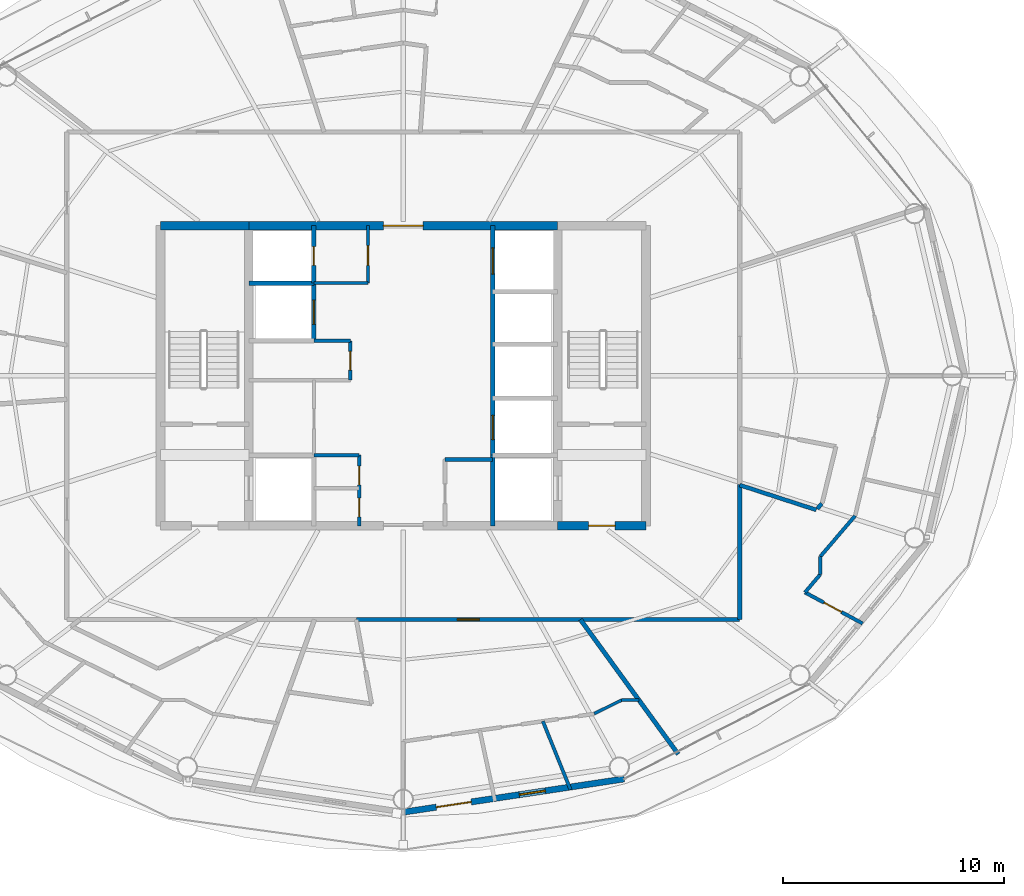
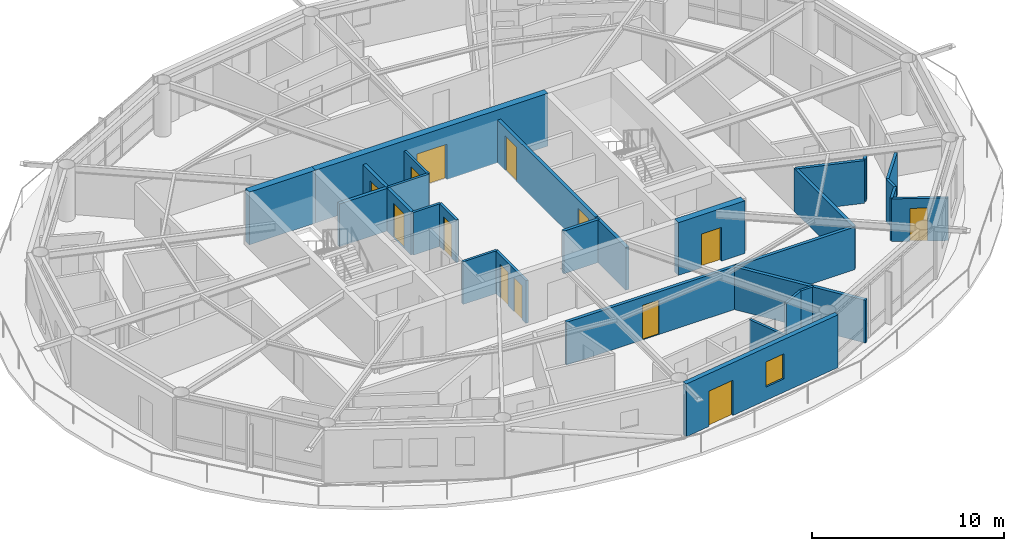
# One storey, part 17 of 23: 28 walls, 13 doors, 1 window, 14 openings.
"""IFC4 building model written with IfcOpenShell, lengths in metres."""

from ifc_helpers import new_model, si_unit, direction, frame, frame_2d, origin, place, context, subcontext, project, spatial, rectangle, extrude, material, layer, layer_set, type_object, element, fill, save


model = new_model("IFC4")

# Units and contexts
model_context = context("Model", 3, precision=1e-05, world=origin(), true_north=direction((0.0, 1.0)))
body_context = subcontext(model_context, "Body", "Model", "MODEL_VIEW")
ifc_project = project(units=[si_unit("LENGTHUNIT", "METRE"), si_unit("AREAUNIT", "SQUARE_METRE"), si_unit("VOLUMEUNIT", "CUBIC_METRE"), si_unit("PLANEANGLEUNIT", "RADIAN"), si_unit("MASSUNIT", "GRAM", prefix="KILO")], contexts=[model_context])

# Site, building, storey
site_placement = place(None, origin())
site = spatial("IfcSite", under=ifc_project, at=site_placement, CompositionType="ELEMENT")
building_placement = place(site_placement, origin())
building = spatial("IfcBuilding", under=site, at=building_placement, Name="Sarneth Arch Tower", CompositionType="ELEMENT")
storey_placement = place(building_placement, frame((0.0, 0.0, 224.39990234375)))
storey = spatial("IfcBuildingStorey", under=building, at=storey_placement, Name="L57", CompositionType="ELEMENT", Elevation=224.39990234375)

# Wall, opening, door
ifc_material_1 = material(Name="Concrete C50/60", Category="concrete")
ifc_layer_1 = layer(ifc_material_1, 0.39990234375)
ifc_layer_set_1 = layer_set([ifc_layer_1], Name="Concrete C50/60")
wall_type_1 = type_object("IfcWallType", Name="WALL-CORE-400", PredefinedType="SHEAR", material=ifc_layer_set_1)
wall_1_placement = place(storey_placement, frame((55.0, 35.199951171875, 0.0), z_axis=(0.0, 0.0, 1.0), x_axis=(1.0, 0.0, 0.0)))
wall_1 = element("IfcWall", 1, at=wall_1_placement, inside=storey, type_object=wall_type_1, Name="L57 Core shear wall S-E", PredefinedType="SHEAR", context=body_context, shape_type="SweptSolid", body=[
    extrude(rectangle(XDim=4.0, YDim=0.39990234375, at=frame_2d((2.0, 0.0))), origin(), (0.0, 0.0, 1.0), 3.360107421875),
])
opening_1_placement = place(wall_1_placement, frame((1.39990234375, 0.0, 0.0)))
opening_1 = element("IfcOpeningElement", 2, at=opening_1_placement, cuts=wall_1, Name="Opening FD-02", PredefinedType="OPENING", context=body_context, shape_type="SweptSolid", body=[
    extrude(rectangle(XDim=1.199951171875, YDim=2.14990234375, at=frame_2d((0.60009765625, 1.074951171875))), frame((0.0, 0.2099609375, 0.0), z_axis=(0.0, -1.0, 0.0), x_axis=(1.0, 0.0, 0.0)), (0.0, 0.0, 1.0), 0.419921875),
])
ifc_material_2 = material(Name="Galvanised Steel S275 fire door set", Category="steel")
door_type_1 = type_object("IfcDoorType", Name="DR-FD90-1200", OperationType="SINGLE_SWING_LEFT", PredefinedType="DOOR", material=ifc_material_2)
door_1_placement = place(opening_1_placement, origin())
door_1 = element("IfcDoor", 3, at=door_1_placement, inside=storey, type_object=door_type_1, Name="L57 Firefighting lobby 2 exit door", OperationType="SINGLE_SWING_RIGHT", OverallHeight=2.14990234375, OverallWidth=1.199951171875, PredefinedType="DOOR", context=body_context, shape_type="SweptSolid", body=[
    extrude(rectangle(XDim=1.199951171875, YDim=2.14990234375, at=frame_2d((0.60009765625, 1.074951171875))), frame((0.0, 0.02490234375, 0.0), z_axis=(0.0, -1.0, 0.0), x_axis=(1.0, 0.0, 0.0)), (0.0, 0.0, 1.0), 0.050048828125),
])
fill(opening_1, door_1)

# Wall
wall_2_placement = place(storey_placement, frame((37.0, 48.800048828125, 0.0), z_axis=(0.0, 0.0, 1.0), x_axis=(1.0, 0.0, 0.0)))
element("IfcWall", 4, at=wall_2_placement, inside=storey, type_object=wall_type_1, Name="L57 Core shear wall N-W", PredefinedType="SHEAR", context=body_context, shape_type="SweptSolid", body=[
    extrude(rectangle(XDim=4.0, YDim=0.39990234375, at=frame_2d((2.0, 0.0))), origin(), (0.0, 0.0, 1.0), 3.360107421875),
])

# Wall, opening, door
wall_3_placement = place(storey_placement, frame((41.0, 48.800048828125, 0.0), z_axis=(0.0, 0.0, 1.0), x_axis=(1.0, 0.0, 0.0)))
wall_3 = element("IfcWall", 5, at=wall_3_placement, inside=storey, type_object=wall_type_1, Name="L57 Core shear wall N-M", PredefinedType="SHEAR", context=body_context, shape_type="SweptSolid", body=[
    extrude(rectangle(XDim=14.0, YDim=0.39990234375, at=frame_2d((7.0, 0.0))), origin(), (0.0, 0.0, 1.0), 3.360107421875),
])
opening_2_placement = place(wall_3_placement, frame((6.10009765625, 0.0, 0.0)))
opening_2 = element("IfcOpeningElement", 6, at=opening_2_placement, cuts=wall_3, Name="Opening FD-01", PredefinedType="OPENING", context=body_context, shape_type="SweptSolid", body=[
    extrude(rectangle(XDim=1.800048828125, YDim=2.25, at=frame_2d((0.89990234375, 1.125))), frame((0.0, 0.2099609375, 0.0), z_axis=(0.0, -1.0, 0.0), x_axis=(1.0, 0.0, 0.0)), (0.0, 0.0, 1.0), 0.419921875),
])
ifc_material_3 = material(Name="Galvanised Steel S275 fire door set", Category="steel")
door_type_2 = type_object("IfcDoorType", Name="DR-FD90-1800", OperationType="DOUBLE_DOOR_SINGLE_SWING", PredefinedType="DOOR", material=ifc_material_3)
door_2_placement = place(opening_2_placement, origin())
door_2 = element("IfcDoor", 7, at=door_2_placement, inside=storey, type_object=door_type_2, Name="L57 Central lift lobby north door", OperationType="DOUBLE_DOOR_SINGLE_SWING", OverallHeight=2.25, OverallWidth=1.800048828125, PredefinedType="DOOR", context=body_context, shape_type="SweptSolid", body=[
    extrude(rectangle(XDim=1.800048828125, YDim=2.25, at=frame_2d((0.89990234375, 1.125))), frame((0.0, 0.02490234375, 0.0), z_axis=(0.0, -1.0, 0.0), x_axis=(1.0, 0.0, 0.0)), (0.0, 0.0, 1.0), 0.050048828125),
])
fill(opening_2, door_2)

ifc_material_4 = material(Name="Double steel-stud corridor fire wall", Category="steel")
ifc_layer_2 = layer(ifc_material_4, 0.18994140625)
ifc_layer_set_2 = layer_set([ifc_layer_2], Name="Double steel-stud corridor fire wall")
wall_type_2 = type_object("IfcWallType", Name="WALL-CORR-190", PredefinedType="PARTITIONING", material=ifc_layer_set_2)
wall_4_placement = place(storey_placement, frame((45.870361328125, 30.949951171875, 0.0), z_axis=(0.0, 0.0, 1.0), x_axis=(1.0, 0.0, 0.0)))
wall_4 = element("IfcWall", 8, at=wall_4_placement, inside=storey, type_object=wall_type_2, Name="L57 Interior partition W-L57-TP-015", PredefinedType="PARTITIONING", context=body_context, shape_type="SweptSolid", body=[
    extrude(rectangle(XDim=17.379638671875, YDim=0.18994140625, at=frame_2d((8.68994140625, 0.0))), origin(), (0.0, 0.0, 1.0), 2.72021484375),
])
opening_3_placement = place(wall_4_placement, frame((4.5791015625, 0.0, 0.0)))
opening_3 = element("IfcOpeningElement", 9, at=opening_3_placement, cuts=wall_4, Name="Opening FD-08", PredefinedType="OPENING", context=body_context, shape_type="SweptSolid", body=[
    extrude(rectangle(XDim=1.0, YDim=2.199951171875, at=frame_2d((0.5, 1.10009765625))), frame((0.0, 0.10498046875, 0.0), z_axis=(0.0, -1.0, 0.0), x_axis=(1.0, 0.0, 0.0)), (0.0, 0.0, 1.0), 0.2099609375),
])
ifc_material_5 = material(Name="Hardwood timber acoustic fire door", Category="wood")
door_type_3 = type_object("IfcDoorType", Name="DR-FD60-1000", OperationType="SINGLE_SWING_LEFT", PredefinedType="DOOR", material=ifc_material_5)
door_3_placement = place(opening_3_placement, origin())
door_3 = element("IfcDoor", 10, at=door_3_placement, inside=storey, type_object=door_type_3, Name="L57 Interior door DR-L57-U6-ENT", OperationType="SINGLE_SWING_LEFT", OverallHeight=2.199951171875, OverallWidth=1.0, PredefinedType="DOOR", context=body_context, shape_type="SweptSolid", body=[
    extrude(rectangle(XDim=1.0, YDim=2.199951171875, at=frame_2d((0.5, 1.10009765625))), frame((0.0, 0.02490234375, 0.0), z_axis=(0.0, -1.0, 0.0), x_axis=(1.0, 0.0, 0.0)), (0.0, 0.0, 1.0), 0.050048828125),
])
fill(opening_3, door_3)

# Wall
wall_5_placement = place(storey_placement, frame((63.25, 37.07861328125, 0.0), z_axis=(0.0, 0.0, 1.0), x_axis=(0.0, -1.0, 0.0)))
element("IfcWall", 11, at=wall_5_placement, inside=storey, type_object=wall_type_2, Name="L57 Interior partition W-L57-TP-017", PredefinedType="PARTITIONING", context=body_context, shape_type="SweptSolid", body=[
    extrude(rectangle(XDim=6.128662109375, YDim=0.18994140625, at=frame_2d((3.064453125, 0.0))), origin(), (0.0, 0.0, 1.0), 2.72021484375),
])

# Wall, openings, door, window
ifc_material_6 = material(Name="Extruded terracotta rainscreen on Concrete C40/50 backing", Category="masonry")
ifc_layer_3 = layer(ifc_material_6, 0.280029296875)
ifc_layer_set_3 = layer_set([ifc_layer_3], Name="Extruded terracotta rainscreen on Concrete C40/50 backing")
wall_type_3 = type_object("IfcWallType", Name="WALL-EXT-TERRA-280", PredefinedType="SOLIDWALL", material=ifc_layer_set_3)
wall_6_placement = place(storey_placement, frame((48.0, 22.219970703125, 0.0), z_axis=(0.0, 0.0, 1.0), x_axis=(0.988882522213, 0.148698881169, 0.0)))
wall_6 = element("IfcWall", 12, at=wall_6_placement, inside=storey, type_object=wall_type_3, Name="L57 Terracotta perimeter wall 13", PredefinedType="SOLIDWALL", context=body_context, shape_type="SweptSolid", body=[
    extrude(rectangle(XDim=10.125244140625, YDim=0.280029296875, at=frame_2d((5.0625, 0.0))), origin(), (0.0, 0.0, 1.0), 3.360107421875),
])
opening_4_placement = place(wall_6_placement, frame((1.51611328125, 0.0, 0.0)))
opening_4 = element("IfcOpeningElement", 13, at=opening_4_placement, cuts=wall_6, Name="Opening BD-1", PredefinedType="OPENING", context=body_context, shape_type="SweptSolid", body=[
    extrude(rectangle(XDim=1.60009765625, YDim=2.25, at=frame_2d((0.800048828125, 1.125))), frame((0.0, 0.14990234375, 0.0), z_axis=(0.0, -1.0, 0.0), x_axis=(1.0, 0.0, 0.0)), (0.0, 0.0, 1.0), 0.300048828125),
])
opening_5_placement = place(wall_6_placement, frame((5.316162109375, 0.0, 0.85009765625)))
opening_5 = element("IfcOpeningElement", 14, at=opening_5_placement, cuts=wall_6, Name="Opening W-10", PredefinedType="OPENING", context=body_context, shape_type="SweptSolid", body=[
    extrude(rectangle(XDim=1.199951171875, YDim=1.60009765625, at=frame_2d((0.60009765625, 0.800048828125))), frame((0.0, 0.14990234375, 0.0), z_axis=(0.0, -1.0, 0.0), x_axis=(1.0, 0.0, 0.0)), (0.0, 0.0, 1.0), 0.300048828125),
])
ifc_material_7 = material(Name="Thermally broken Aluminium 6063-T6 and laminated safety glass", Category="aluminium")
door_type_4 = type_object("IfcDoorType", Name="DR-BALC-GLZ-1600", OperationType="DOUBLE_DOOR_SINGLE_SWING", PredefinedType="DOOR", material=ifc_material_7)
door_4_placement = place(opening_4_placement, origin())
door_4 = element("IfcDoor", 15, at=door_4_placement, inside=storey, type_object=door_type_4, Name="L57 Balcony glazed door 13", OperationType="DOUBLE_DOOR_SINGLE_SWING", OverallHeight=2.25, OverallWidth=1.60009765625, PredefinedType="DOOR", context=body_context, shape_type="SweptSolid", body=[
    extrude(rectangle(XDim=1.60009765625, YDim=2.25, at=frame_2d((0.800048828125, 1.125))), frame((0.0, 0.02490234375, 0.0), z_axis=(0.0, -1.0, 0.0), x_axis=(1.0, 0.0, 0.0)), (0.0, 0.0, 1.0), 0.050048828125),
])
fill(opening_4, door_4)
ifc_material_8 = material(Name="Thermally broken Aluminium 6063-T6 and low-e laminated IGU", Category="aluminium")
window_type = type_object("IfcWindowType", Name="WIN-TWR-1200x1600", PartitioningType="SINGLE_PANEL", PredefinedType="WINDOW", material=ifc_material_8)
window_placement = place(opening_5_placement, origin())
window = element("IfcWindow", 16, at=window_placement, inside=storey, type_object=window_type, Name="L57 Exterior window 13A", OverallHeight=1.60009765625, OverallWidth=1.199951171875, PartitioningType="SINGLE_PANEL", PredefinedType="WINDOW", context=body_context, shape_type="SweptSolid", body=[
    extrude(rectangle(XDim=1.199951171875, YDim=1.60009765625, at=frame_2d((0.60009765625, 0.800048828125))), frame((0.0, 0.030029296875, 0.0), z_axis=(0.0, -1.0, 0.0), x_axis=(1.0, 0.0, 0.0)), (0.0, 0.0, 1.0), 0.06005859375),
])
fill(opening_5, window)

# Walls
ifc_material_9 = material(Name="Apartment internal stud partition", Category="gypsum")
ifc_layer_4 = layer(ifc_material_9, 0.139892578125)
ifc_layer_set_4 = layer_set([ifc_layer_4], Name="Apartment internal stud partition")
wall_type_4 = type_object("IfcWallType", Name="WALL-PART-140", PredefinedType="PARTITIONING", material=ifc_layer_set_4)
wall_7_placement = place(storey_placement, frame((57.898681640625, 27.300048828125, 0.0), z_axis=(0.0, 0.0, 1.0), x_axis=(-0.895584310315, -0.444891833053, 0.0)))
element("IfcWall", 17, at=wall_7_placement, inside=storey, type_object=wall_type_4, Name="L57 Interior partition W-L57-TP-088", PredefinedType="PARTITIONING", context=body_context, shape_type="SweptSolid", body=[
    extrude(rectangle(XDim=1.388916015625, YDim=0.139892578125, at=frame_2d((0.6943359375, 0.0))), origin(), (0.0, 0.0, 1.0), 2.72021484375),
])
wall_8_placement = place(storey_placement, frame((58.68017578125, 27.300048828125, 0.0), z_axis=(0.0, 0.0, 1.0), x_axis=(-1.0, 0.0, 0.0)))
element("IfcWall", 18, at=wall_8_placement, inside=storey, type_object=wall_type_4, Name="L57 Interior partition W-L57-TP-087", PredefinedType="PARTITIONING", context=body_context, shape_type="SweptSolid", body=[
    extrude(rectangle(XDim=0.781494140625, YDim=0.139892578125, at=frame_2d((0.390625, 0.0))), origin(), (0.0, 0.0, 1.0), 2.72021484375),
])
ifc_material_10 = material(Name="Acoustic gypsum stud partition", Category="gypsum")
ifc_layer_5 = layer(ifc_material_10, 0.14990234375)
ifc_layer_set_5 = layer_set([ifc_layer_5], Name="Acoustic gypsum stud partition")
wall_type_5 = type_object("IfcWallType", Name="WALL-PART-150", PredefinedType="PARTITIONING", material=ifc_layer_set_5)
wall_9_placement = place(storey_placement, frame((43.949951171875, 43.580078125, 0.0), z_axis=(0.0, 0.0, 1.0), x_axis=(1.0, 0.0, 0.0)))
element("IfcWall", 19, at=wall_9_placement, inside=storey, type_object=wall_type_5, Name="L57 Interior partition W-L57-RECPL-N2", PredefinedType="PARTITIONING", context=body_context, shape_type="SweptSolid", body=[
    extrude(rectangle(XDim=1.650146484375, YDim=0.14990234375, at=frame_2d((0.8251953125, 0.0))), origin(), (0.0, 0.0, 1.0), 2.72021484375),
])

# Wall, opening, door
wall_10_placement = place(storey_placement, frame((45.60009765625, 41.800048828125, 0.0), z_axis=(0.0, 0.0, 1.0), x_axis=(0.0, 1.0, 0.0)))
wall_10 = element("IfcWall", 20, at=wall_10_placement, inside=storey, type_object=wall_type_5, Name="L57 Interior partition W-L57-RECPL-E2", PredefinedType="PARTITIONING", context=body_context, shape_type="SweptSolid", body=[
    extrude(rectangle(XDim=1.780029296875, YDim=0.14990234375, at=frame_2d((0.89013671875, 0.0))), origin(), (0.0, 0.0, 1.0), 2.72021484375),
])
opening_6_placement = place(wall_10_placement, frame((0.449951171875, 0.0, 0.0)))
opening_6 = element("IfcOpeningElement", 21, at=opening_6_placement, cuts=wall_10, Name="Opening FD-11", PredefinedType="OPENING", context=body_context, shape_type="SweptSolid", body=[
    extrude(rectangle(XDim=0.85009765625, YDim=2.14990234375, at=frame_2d((0.425048828125, 1.074951171875))), frame((0.0, 0.0849609375, 0.0), z_axis=(0.0, -1.0, 0.0), x_axis=(1.0, 0.0, 0.0)), (0.0, 0.0, 1.0), 0.169921875),
])
ifc_material_11 = material(Name="Galvanised Steel S275 closet fire door", Category="steel")
door_type_5 = type_object("IfcDoorType", Name="DR-FD60-850", OperationType="SINGLE_SWING_LEFT", PredefinedType="DOOR", material=ifc_material_11)
door_5_placement = place(opening_6_placement, origin())
door_5 = element("IfcDoor", 22, at=door_5_placement, inside=storey, type_object=door_type_5, Name="L57 Interior door DR-L57-RECPL2", OperationType="SINGLE_SWING_RIGHT", OverallHeight=2.14990234375, OverallWidth=0.85009765625, PredefinedType="DOOR", context=body_context, shape_type="SweptSolid", body=[
    extrude(rectangle(XDim=0.85009765625, YDim=2.14990234375, at=frame_2d((0.425048828125, 1.074951171875))), frame((0.0, 0.02490234375, 0.0), z_axis=(0.0, -1.0, 0.0), x_axis=(1.0, 0.0, 0.0)), (0.0, 0.0, 1.0), 0.050048828125),
])
fill(opening_6, door_5)

# Wall
wall_11_placement = place(storey_placement, frame((43.949951171875, 38.39990234375, 0.0), z_axis=(0.0, 0.0, 1.0), x_axis=(1.0, 0.0, 0.0)))
element("IfcWall", 23, at=wall_11_placement, inside=storey, type_object=wall_type_5, Name="L57 Interior partition W-L57-CSUP-N", PredefinedType="PARTITIONING", context=body_context, shape_type="SweptSolid", body=[
    extrude(rectangle(XDim=2.050048828125, YDim=0.14990234375, at=frame_2d((1.02490234375, 0.0))), origin(), (0.0, 0.0, 1.0), 2.72021484375),
])

# Wall, openings, doors
wall_12_placement = place(storey_placement, frame((46.0, 35.199951171875, 0.0), z_axis=(0.0, 0.0, 1.0), x_axis=(0.0, 1.0, 0.0)))
wall_12 = element("IfcWall", 24, at=wall_12_placement, inside=storey, type_object=wall_type_5, Name="L57 Interior partition W-L57-CSUP-E", PredefinedType="PARTITIONING", context=body_context, shape_type="SweptSolid", body=[
    extrude(rectangle(XDim=3.199951171875, YDim=0.14990234375, at=frame_2d((1.60009765625, 0.0))), origin(), (0.0, 0.0, 1.0), 2.72021484375),
])
opening_7_placement = place(wall_12_placement, frame((0.39990234375, 0.0, 0.0)))
opening_7 = element("IfcOpeningElement", 25, at=opening_7_placement, cuts=wall_12, Name="Opening FD-11", PredefinedType="OPENING", context=body_context, shape_type="SweptSolid", body=[
    extrude(rectangle(XDim=0.85009765625, YDim=2.14990234375, at=frame_2d((0.425048828125, 1.074951171875))), frame((0.0, 0.0849609375, 0.0), z_axis=(0.0, -1.0, 0.0), x_axis=(1.0, 0.0, 0.0)), (0.0, 0.0, 1.0), 0.169921875),
])
opening_8_placement = place(wall_12_placement, frame((1.85009765625, 0.0, 0.0)))
opening_8 = element("IfcOpeningElement", 26, at=opening_8_placement, cuts=wall_12, Name="Opening FD-11", PredefinedType="OPENING", context=body_context, shape_type="SweptSolid", body=[
    extrude(rectangle(XDim=0.85009765625, YDim=2.14990234375, at=frame_2d((0.425048828125, 1.074951171875))), frame((0.0, 0.0849609375, 0.0), z_axis=(0.0, -1.0, 0.0), x_axis=(1.0, 0.0, 0.0)), (0.0, 0.0, 1.0), 0.169921875),
])
door_6_placement = place(opening_7_placement, origin())
door_6 = element("IfcDoor", 27, at=door_6_placement, inside=storey, type_object=door_type_5, Name="L57 Interior door DR-L57-CSUP1", OperationType="SINGLE_SWING_LEFT", OverallHeight=2.14990234375, OverallWidth=0.85009765625, PredefinedType="DOOR", context=body_context, shape_type="SweptSolid", body=[
    extrude(rectangle(XDim=0.85009765625, YDim=2.14990234375, at=frame_2d((0.425048828125, 1.074951171875))), frame((0.0, 0.02490234375, 0.0), z_axis=(0.0, -1.0, 0.0), x_axis=(1.0, 0.0, 0.0)), (0.0, 0.0, 1.0), 0.050048828125),
])
fill(opening_7, door_6)
door_7_placement = place(opening_8_placement, origin())
door_7 = element("IfcDoor", 28, at=door_7_placement, inside=storey, type_object=door_type_5, Name="L57 Interior door DR-L57-CSUP2", OperationType="SINGLE_SWING_RIGHT", OverallHeight=2.14990234375, OverallWidth=0.85009765625, PredefinedType="DOOR", context=body_context, shape_type="SweptSolid", body=[
    extrude(rectangle(XDim=0.85009765625, YDim=2.14990234375, at=frame_2d((0.425048828125, 1.074951171875))), frame((0.0, 0.02490234375, 0.0), z_axis=(0.0, -1.0, 0.0), x_axis=(1.0, 0.0, 0.0)), (0.0, 0.0, 1.0), 0.050048828125),
])
fill(opening_8, door_7)

# Wall
wall_13_placement = place(storey_placement, frame((43.949951171875, 46.199951171875, 0.0), z_axis=(0.0, 0.0, 1.0), x_axis=(1.0, 0.0, 0.0)))
element("IfcWall", 29, at=wall_13_placement, inside=storey, type_object=wall_type_5, Name="L57 Interior partition W-L57-CSUP3-S", PredefinedType="PARTITIONING", context=body_context, shape_type="SweptSolid", body=[
    extrude(rectangle(XDim=2.449951171875, YDim=0.14990234375, at=frame_2d((1.22509765625, 0.0))), origin(), (0.0, 0.0, 1.0), 2.72021484375),
])

# Wall, opening, door
wall_14_placement = place(storey_placement, frame((46.39990234375, 46.199951171875, 0.0), z_axis=(0.0, 0.0, 1.0), x_axis=(0.0, 1.0, 0.0)))
wall_14 = element("IfcWall", 30, at=wall_14_placement, inside=storey, type_object=wall_type_5, Name="L57 Interior partition W-L57-CSUP3-E", PredefinedType="PARTITIONING", context=body_context, shape_type="SweptSolid", body=[
    extrude(rectangle(XDim=2.60009765625, YDim=0.14990234375, at=frame_2d((1.300048828125, 0.0))), origin(), (0.0, 0.0, 1.0), 2.72021484375),
])
opening_9_placement = place(wall_14_placement, frame((0.800048828125, 0.0, 0.0)))
opening_9 = element("IfcOpeningElement", 31, at=opening_9_placement, cuts=wall_14, Name="Opening FD-10", PredefinedType="OPENING", context=body_context, shape_type="SweptSolid", body=[
    extrude(rectangle(XDim=0.89990234375, YDim=2.14990234375, at=frame_2d((0.449951171875, 1.074951171875))), frame((0.0, 0.0849609375, 0.0), z_axis=(0.0, -1.0, 0.0), x_axis=(1.0, 0.0, 0.0)), (0.0, 0.0, 1.0), 0.169921875),
])
ifc_material_12 = material(Name="Galvanised Steel S275 riser/service fire door", Category="steel")
door_type_6 = type_object("IfcDoorType", Name="DR-FD60-900", OperationType="SINGLE_SWING_LEFT", PredefinedType="DOOR", material=ifc_material_12)
door_8_placement = place(opening_9_placement, origin())
door_8 = element("IfcDoor", 32, at=door_8_placement, inside=storey, type_object=door_type_6, Name="L57 Interior door DR-L57-CSUP3", OperationType="SINGLE_SWING_LEFT", OverallHeight=2.14990234375, OverallWidth=0.89990234375, PredefinedType="DOOR", context=body_context, shape_type="SweptSolid", body=[
    extrude(rectangle(XDim=0.89990234375, YDim=2.14990234375, at=frame_2d((0.449951171875, 1.074951171875))), frame((0.0, 0.02490234375, 0.0), z_axis=(0.0, -1.0, 0.0), x_axis=(1.0, 0.0, 0.0)), (0.0, 0.0, 1.0), 0.050048828125),
])
fill(opening_9, door_8)

# Wall
wall_15_placement = place(storey_placement, frame((54.325927734375, 26.342529296875, 0.0), z_axis=(0.0, 0.0, 1.0), x_axis=(0.374635643267, -0.927172117136, 0.0)))
element("IfcWall", 33, at=wall_15_placement, inside=storey, type_object=wall_type_5, Name="L57 Interior partition W-L57-TP-092", PredefinedType="PARTITIONING", context=body_context, shape_type="SweptSolid", body=[
    extrude(rectangle(XDim=3.344482421875, YDim=0.14990234375, at=frame_2d((1.67236328125, 0.0))), origin(), (0.0, 0.0, 1.0), 2.72021484375),
])

# Wall, opening, door
ifc_material_13 = material(Name="Kitchen wet service chase wall", Category="gypsum")
ifc_layer_6 = layer(ifc_material_13, 0.159912109375)
ifc_layer_set_6 = layer_set([ifc_layer_6], Name="Kitchen wet service chase wall")
wall_type_6 = type_object("IfcWallType", Name="WALL-PLUMB-160", PredefinedType="PLUMBINGWALL", material=ifc_layer_set_6)
wall_16_placement = place(storey_placement, frame((68.818115234375, 30.771484375, 0.0), z_axis=(0.0, 0.0, 1.0), x_axis=(-0.880124770505, 0.474742444219, 0.0)))
wall_16 = element("IfcWall", 34, at=wall_16_placement, inside=storey, type_object=wall_type_6, Name="L57 Interior partition W-L57-TP-094", PredefinedType="PLUMBINGWALL", context=body_context, shape_type="SweptSolid", body=[
    extrude(rectangle(XDim=2.96728515625, YDim=0.159912109375, at=frame_2d((1.483642578125, 0.0))), origin(), (0.0, 0.0, 1.0), 2.72021484375),
])
opening_10_placement = place(wall_16_placement, frame((1.093505859375, 0.0, 0.0)))
opening_10 = element("IfcOpeningElement", 35, at=opening_10_placement, cuts=wall_16, Name="Opening ID-01", PredefinedType="OPENING", context=body_context, shape_type="SweptSolid", body=[
    extrude(rectangle(XDim=0.89990234375, YDim=2.10009765625, at=frame_2d((0.449951171875, 1.050048828125))), frame((0.0, 0.08984375, 0.0), z_axis=(0.0, -1.0, 0.0), x_axis=(1.0, 0.0, 0.0)), (0.0, 0.0, 1.0), 0.179931640625),
])
ifc_material_14 = material(Name="Engineered hardwood flush door", Category="wood")
door_type_7 = type_object("IfcDoorType", Name="DR-INT-900", OperationType="SINGLE_SWING_LEFT", PredefinedType="DOOR", material=ifc_material_14)
door_9_placement = place(opening_10_placement, origin())
door_9 = element("IfcDoor", 36, at=door_9_placement, inside=storey, type_object=door_type_7, Name="L57 Interior door DR-L57-U7-KIT", OperationType="SINGLE_SWING_RIGHT", OverallHeight=2.10009765625, OverallWidth=0.89990234375, PredefinedType="DOOR", context=body_context, shape_type="SweptSolid", body=[
    extrude(rectangle(XDim=0.89990234375, YDim=2.10009765625, at=frame_2d((0.449951171875, 1.050048828125))), frame((0.0, 0.02490234375, 0.0), z_axis=(0.0, -1.0, 0.0), x_axis=(1.0, 0.0, 0.0)), (0.0, 0.0, 1.0), 0.050048828125),
])
fill(opening_10, door_9)

# Walls
wall_17_placement = place(storey_placement, frame((66.89990234375, 33.802978515625, 0.0), z_axis=(0.0, 0.0, 1.0), x_axis=(0.649270866973, 0.760557257082, 0.0)))
element("IfcWall", 37, at=wall_17_placement, inside=storey, type_object=wall_type_6, Name="L57 Interior partition W-L57-TP-097", PredefinedType="PLUMBINGWALL", context=body_context, shape_type="SweptSolid", body=[
    extrude(rectangle(XDim=2.43505859375, YDim=0.159912109375, at=frame_2d((1.217529296875, 0.0))), origin(), (0.0, 0.0, 1.0), 2.72021484375),
])
wall_18_placement = place(storey_placement, frame((66.20654296875, 32.18017578125, 0.0), z_axis=(0.0, 0.0, 1.0), x_axis=(0.649020528566, 0.760770894225, 0.0)))
element("IfcWall", 38, at=wall_18_placement, inside=storey, type_object=wall_type_6, Name="L57 Interior partition W-L57-TP-095", PredefinedType="PLUMBINGWALL", context=body_context, shape_type="SweptSolid", body=[
    extrude(rectangle(XDim=1.068359375, YDim=0.159912109375, at=frame_2d((0.5341796875, 0.0))), origin(), (0.0, 0.0, 1.0), 2.72021484375),
])
wall_19_placement = place(storey_placement, frame((66.89990234375, 32.992919921875, 0.0), z_axis=(0.0, 0.0, 1.0), x_axis=(0.0, 1.0, 0.0)))
element("IfcWall", 39, at=wall_19_placement, inside=storey, type_object=wall_type_6, Name="L57 Interior partition W-L57-TP-096", PredefinedType="PLUMBINGWALL", context=body_context, shape_type="SweptSolid", body=[
    extrude(rectangle(XDim=0.81005859375, YDim=0.159912109375, at=frame_2d((0.405029296875, 0.0))), origin(), (0.0, 0.0, 1.0), 2.72021484375),
])
ifc_material_15 = material(Name="Moisture-resistant plumbing chase wall", Category="gypsum")
ifc_layer_7 = layer(ifc_material_15, 0.179931640625)
ifc_layer_set_7 = layer_set([ifc_layer_7], Name="Moisture-resistant plumbing chase wall")
wall_type_7 = type_object("IfcWallType", Name="WALL-PLUMB-180", PredefinedType="PLUMBINGWALL", material=ifc_layer_set_7)
wall_20_placement = place(storey_placement, frame((49.89990234375, 38.199951171875, 0.0), z_axis=(0.0, 0.0, 1.0), x_axis=(1.0, 0.0, 0.0)))
element("IfcWall", 40, at=wall_20_placement, inside=storey, type_object=wall_type_7, Name="L57 Interior partition W-L57-AWC-N", PredefinedType="PLUMBINGWALL", context=body_context, shape_type="SweptSolid", body=[
    extrude(rectangle(XDim=2.150146484375, YDim=0.179931640625, at=frame_2d((1.0751953125, 0.0))), origin(), (0.0, 0.0, 1.0), 2.72021484375),
])
wall_21_placement = place(storey_placement, frame((63.25, 37.044921875, 0.0), z_axis=(0.0, 0.0, 1.0), x_axis=(0.951066543841, -0.308986131058, 0.0)))
element("IfcWall", 41, at=wall_21_placement, inside=storey, type_object=wall_type_7, Name="L57 Interior partition W-L57-TP-099", PredefinedType="PLUMBINGWALL", context=body_context, shape_type="SweptSolid", body=[
    extrude(rectangle(XDim=3.645751953125, YDim=0.179931640625, at=frame_2d((1.82275390625, 0.0))), origin(), (0.0, 0.0, 1.0), 2.72021484375),
])
wall_22_placement = place(storey_placement, frame((66.761962890625, 35.9697265625, 0.0), z_axis=(0.0, 0.0, 1.0), x_axis=(0.656312676344, 0.754489013088, 0.0)))
element("IfcWall", 42, at=wall_22_placement, inside=storey, type_object=wall_type_7, Name="L57 Interior partition W-L57-TP-100", PredefinedType="PLUMBINGWALL", context=body_context, shape_type="SweptSolid", body=[
    extrude(rectangle(XDim=0.31591796875, YDim=0.179931640625, at=frame_2d((0.157958984375, 0.0))), origin(), (0.0, 0.0, 1.0), 2.72021484375),
])
ifc_material_16 = material(Name="Aerated concrete blockwork C25/30", Category="masonry")
ifc_layer_8 = layer(ifc_material_16, 0.199951171875)
ifc_layer_set_8 = layer_set([ifc_layer_8], Name="Aerated concrete blockwork C25/30")
wall_type_8 = type_object("IfcWallType", Name="WALL-SHAFT-200", PredefinedType="SOLIDWALL", material=ifc_layer_set_8)
wall_23_placement = place(storey_placement, frame((52.050048828125, 35.199951171875, 0.0), z_axis=(0.0, 0.0, 1.0), x_axis=(0.0, 1.0, 0.0)))
element("IfcWall", 43, at=wall_23_placement, inside=storey, type_object=wall_type_8, Name="L57 Interior partition W-L57-FL2-W", PredefinedType="SOLIDWALL", context=body_context, shape_type="SweptSolid", body=[
    extrude(rectangle(XDim=3.199951171875, YDim=0.199951171875, at=frame_2d((1.60009765625, 0.0))), origin(), (0.0, 0.0, 1.0), 2.72021484375),
])
wall_24_placement = place(storey_placement, frame((41.0, 46.199951171875, 0.0), z_axis=(0.0, 0.0, 1.0), x_axis=(1.0, 0.0, 0.0)))
element("IfcWall", 44, at=wall_24_placement, inside=storey, type_object=wall_type_8, Name="L57 Interior partition W-L57-RISER-S", PredefinedType="SOLIDWALL", context=body_context, shape_type="SweptSolid", body=[
    extrude(rectangle(XDim=2.949951171875, YDim=0.199951171875, at=frame_2d((1.47509765625, 0.0))), origin(), (0.0, 0.0, 1.0), 2.72021484375),
])

# Wall, opening, door
wall_25_placement = place(storey_placement, frame((43.949951171875, 46.199951171875, 0.0), z_axis=(0.0, 0.0, 1.0), x_axis=(0.0, 1.0, 0.0)))
wall_25 = element("IfcWall", 45, at=wall_25_placement, inside=storey, type_object=wall_type_8, Name="L57 Interior partition W-L57-RISER-E", PredefinedType="SOLIDWALL", context=body_context, shape_type="SweptSolid", body=[
    extrude(rectangle(XDim=2.60009765625, YDim=0.199951171875, at=frame_2d((1.300048828125, 0.0))), origin(), (0.0, 0.0, 1.0), 2.72021484375),
])
opening_11_placement = place(wall_25_placement, frame((0.800048828125, 0.0, 0.0)))
opening_11 = element("IfcOpeningElement", 46, at=opening_11_placement, cuts=wall_25, Name="Opening FD-11", PredefinedType="OPENING", context=body_context, shape_type="SweptSolid", body=[
    extrude(rectangle(XDim=0.85009765625, YDim=2.14990234375, at=frame_2d((0.425048828125, 1.074951171875))), frame((0.0, 0.10986328125, 0.0), z_axis=(0.0, -1.0, 0.0), x_axis=(1.0, 0.0, 0.0)), (0.0, 0.0, 1.0), 0.219970703125),
])
door_10_placement = place(opening_11_placement, origin())
door_10 = element("IfcDoor", 47, at=door_10_placement, inside=storey, type_object=door_type_5, Name="L57 Lift landing door DR-L57-RISER", OperationType="SINGLE_SWING_LEFT", OverallHeight=2.14990234375, OverallWidth=0.85009765625, PredefinedType="DOOR", context=body_context, shape_type="SweptSolid", body=[
    extrude(rectangle(XDim=0.85009765625, YDim=2.14990234375, at=frame_2d((0.425048828125, 1.074951171875))), frame((0.0, 0.02490234375, 0.0), z_axis=(0.0, -1.0, 0.0), x_axis=(1.0, 0.0, 0.0)), (0.0, 0.0, 1.0), 0.050048828125),
])
fill(opening_11, door_10)

wall_26_placement = place(storey_placement, frame((43.949951171875, 43.580078125, 0.0), z_axis=(0.0, 0.0, 1.0), x_axis=(0.0, 1.0, 0.0)))
wall_26 = element("IfcWall", 48, at=wall_26_placement, inside=storey, type_object=wall_type_8, Name="L57 Interior partition W-L57-PM1-FRONT", PredefinedType="SOLIDWALL", context=body_context, shape_type="SweptSolid", body=[
    extrude(rectangle(XDim=2.619873046875, YDim=0.199951171875, at=frame_2d((1.31005859375, 0.0))), origin(), (0.0, 0.0, 1.0), 2.72021484375),
])
opening_12_placement = place(wall_26_placement, frame((0.75, 0.0, 0.0)))
opening_12 = element("IfcOpeningElement", 49, at=opening_12_placement, cuts=wall_26, Name="Opening LD-1", PredefinedType="OPENING", context=body_context, shape_type="SweptSolid", body=[
    extrude(rectangle(XDim=1.10009765625, YDim=2.199951171875, at=frame_2d((0.550048828125, 1.10009765625))), frame((0.0, 0.10986328125, 0.0), z_axis=(0.0, -1.0, 0.0), x_axis=(1.0, 0.0, 0.0)), (0.0, 0.0, 1.0), 0.219970703125),
])
ifc_material_17 = material(Name="Brushed Stainless Steel 304 lift landing door", Category="steel")
door_type_8 = type_object("IfcDoorType", Name="DR-LIFT-SLIDE-1100", OperationType="SLIDING_TO_LEFT", PredefinedType="DOOR", material=ifc_material_17)
door_11_placement = place(opening_12_placement, origin())
door_11 = element("IfcDoor", 50, at=door_11_placement, inside=storey, type_object=door_type_8, Name="L57 Lift landing door DR-L57-LD-PM1", OperationType="SLIDING_TO_LEFT", OverallHeight=2.199951171875, OverallWidth=1.10009765625, PredefinedType="DOOR", context=body_context, shape_type="SweptSolid", body=[
    extrude(rectangle(XDim=1.10009765625, YDim=2.199951171875, at=frame_2d((0.550048828125, 1.10009765625))), frame((0.0, 0.02490234375, 0.0), z_axis=(0.0, -1.0, 0.0), x_axis=(1.0, 0.0, 0.0)), (0.0, 0.0, 1.0), 0.050048828125),
])
fill(opening_12, door_11)

# Wall, openings, doors
wall_27_placement = place(storey_placement, frame((52.050048828125, 38.39990234375, 0.0), z_axis=(0.0, 0.0, 1.0), x_axis=(0.0, 1.0, 0.0)))
wall_27 = element("IfcWall", 51, at=wall_27_placement, inside=storey, type_object=wall_type_8, Name="L57 Interior partition W-L57-EASTBANK-FRONT", PredefinedType="SOLIDWALL", context=body_context, shape_type="SweptSolid", body=[
    extrude(rectangle(XDim=10.400146484375, YDim=0.199951171875, at=frame_2d((5.2001953125, 0.0))), origin(), (0.0, 0.0, 1.0), 2.72021484375),
])
opening_13_placement = place(wall_27_placement, frame((0.699951171875, 0.0, 0.0)))
opening_13 = element("IfcOpeningElement", 52, at=opening_13_placement, cuts=wall_27, Name="Opening LD-1", PredefinedType="OPENING", context=body_context, shape_type="SweptSolid", body=[
    extrude(rectangle(XDim=1.10009765625, YDim=2.199951171875, at=frame_2d((0.550048828125, 1.10009765625))), frame((0.0, 0.10986328125, 0.0), z_axis=(0.0, -1.0, 0.0), x_axis=(1.0, 0.0, 0.0)), (0.0, 0.0, 1.0), 0.219970703125),
])
opening_14_placement = place(wall_27_placement, frame((8.199951171875, 0.0, 0.0)))
opening_14 = element("IfcOpeningElement", 53, at=opening_14_placement, cuts=wall_27, Name="Opening LD-2", PredefinedType="OPENING", context=body_context, shape_type="SweptSolid", body=[
    extrude(rectangle(XDim=1.199951171875, YDim=2.199951171875, at=frame_2d((0.60009765625, 1.10009765625))), frame((0.0, 0.10986328125, 0.0), z_axis=(0.0, -1.0, 0.0), x_axis=(1.0, 0.0, 0.0)), (0.0, 0.0, 1.0), 0.219970703125),
])
door_12_placement = place(opening_13_placement, origin())
door_12 = element("IfcDoor", 54, at=door_12_placement, inside=storey, type_object=door_type_8, Name="L57 Lift landing door DR-L57-LD-PM2", OperationType="SLIDING_TO_LEFT", OverallHeight=2.199951171875, OverallWidth=1.10009765625, PredefinedType="DOOR", context=body_context, shape_type="SweptSolid", body=[
    extrude(rectangle(XDim=1.10009765625, YDim=2.199951171875, at=frame_2d((0.550048828125, 1.10009765625))), frame((0.0, 0.02490234375, 0.0), z_axis=(0.0, -1.0, 0.0), x_axis=(1.0, 0.0, 0.0)), (0.0, 0.0, 1.0), 0.050048828125),
])
fill(opening_13, door_12)
ifc_material_18 = material(Name="Brushed Stainless Steel 304 service lift door", Category="steel")
door_type_9 = type_object("IfcDoorType", Name="DR-LIFT-SLIDE-1200", OperationType="SLIDING_TO_RIGHT", PredefinedType="DOOR", material=ifc_material_18)
door_13_placement = place(opening_14_placement, origin())
door_13 = element("IfcDoor", 55, at=door_13_placement, inside=storey, type_object=door_type_9, Name="L57 Lift landing door DR-L57-LD-SL1", OperationType="SLIDING_TO_RIGHT", OverallHeight=2.199951171875, OverallWidth=1.199951171875, PredefinedType="DOOR", context=body_context, shape_type="SweptSolid", body=[
    extrude(rectangle(XDim=1.199951171875, YDim=2.199951171875, at=frame_2d((0.60009765625, 1.10009765625))), frame((0.0, 0.02490234375, 0.0), z_axis=(0.0, -1.0, 0.0), x_axis=(1.0, 0.0, 0.0)), (0.0, 0.0, 1.0), 0.050048828125),
])
fill(opening_14, door_13)

# Wall
ifc_material_19 = material(Name="Double steel-stud acoustic drywall", Category="steel")
ifc_layer_9 = layer(ifc_material_19, 0.199951171875)
ifc_layer_set_9 = layer_set([ifc_layer_9], Name="Double steel-stud acoustic drywall")
wall_type_9 = type_object("IfcWallType", Name="WALL-UNIT-200", PredefinedType="PARTITIONING", material=ifc_layer_set_9)
wall_28_placement = place(storey_placement, frame((56.0283203125, 30.949951171875, 0.0), z_axis=(0.0, 0.0, 1.0), x_axis=(0.587792517605, -0.809011715767, 0.0)))
element("IfcWall", 56, at=wall_28_placement, inside=storey, type_object=wall_type_9, Name="L57 Interior partition W-L57-TP-090", PredefinedType="PARTITIONING", context=body_context, shape_type="SweptSolid", body=[
    extrude(rectangle(XDim=7.543212890625, YDim=0.199951171875, at=frame_2d((3.771484375, 0.0))), origin(), (0.0, 0.0, 1.0), 2.72021484375),
])

save(model, "model.ifc")
